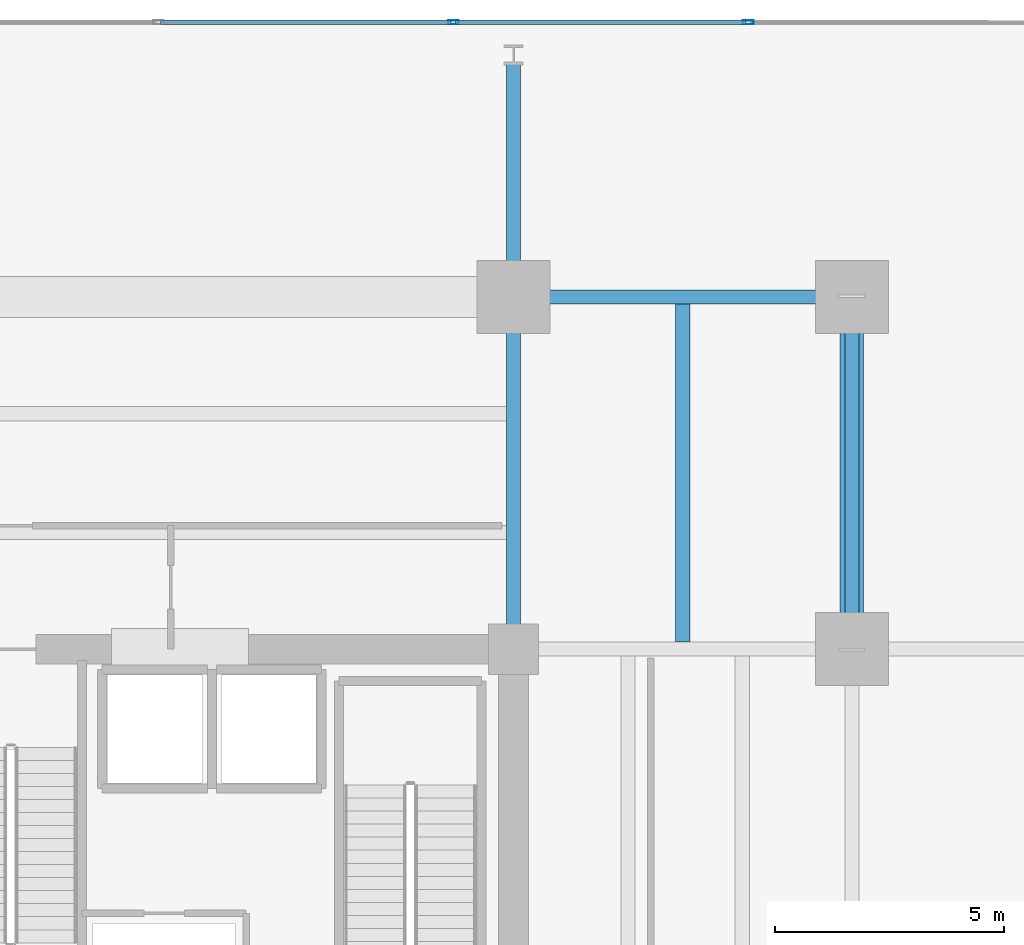
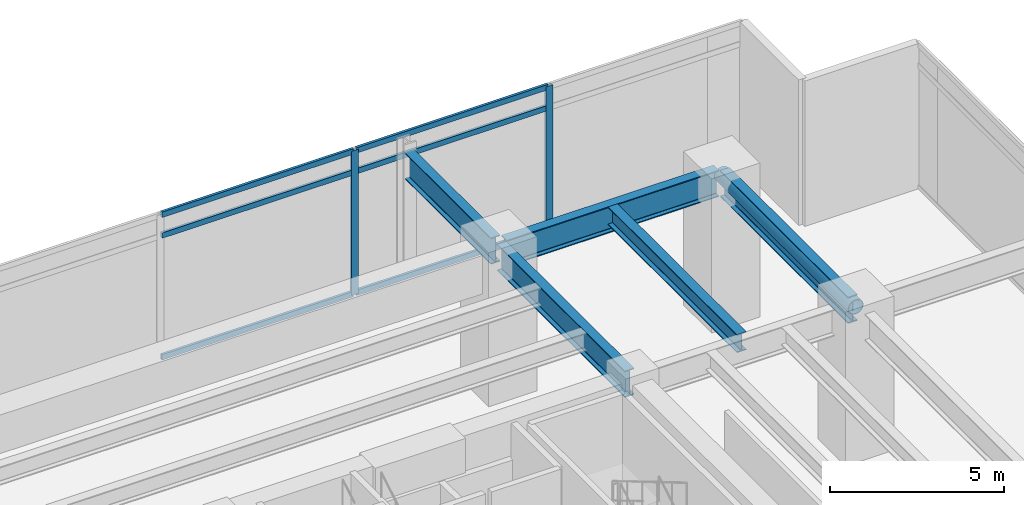
# One storey, part 16 of 23: 9 members, 5 beams, 1 element without a shape of its own.
"""IFC4 building model written with IfcOpenShell, lengths in metres."""

from ifc_helpers import new_model, si_unit, direction, frame, origin, origin_2d, place, context, subcontext, project, spatial, hollow_rectangle, hollow_circle, i_section, extrude, material, material_profile, profile_set, type_object, element, aggregate, save


model = new_model("IFC4")

# Units and contexts
model_context = context("Model", 3, precision=1e-05, world=origin(), true_north=direction((0.0, 1.0)))
body_context = subcontext(model_context, "Body", "Model", "MODEL_VIEW")
ifc_project = project(units=[si_unit("LENGTHUNIT", "METRE"), si_unit("AREAUNIT", "SQUARE_METRE"), si_unit("VOLUMEUNIT", "CUBIC_METRE"), si_unit("PLANEANGLEUNIT", "RADIAN"), si_unit("MASSUNIT", "GRAM", prefix="KILO")], contexts=[model_context])

# Site, building, storey
site_placement = place(None, origin())
site = spatial("IfcSite", under=ifc_project, at=site_placement, CompositionType="ELEMENT")
building_placement = place(site_placement, origin())
building = spatial("IfcBuilding", under=site, at=building_placement, Name="Kovane Verandah Tower", CompositionType="ELEMENT")
storey_placement = place(building_placement, frame((0.0, 0.0, 107.60009765625)))
storey = spatial("IfcBuildingStorey", under=building, at=storey_placement, Name="L25", CompositionType="ELEMENT", Elevation=107.60009765625)

# Beams
ifc_material_1 = material(Name="Steel S460", Category="steel")
ifc_material_profile_1 = material_profile(ifc_material_1, i_section(OverallWidth=0.311279296875, OverallDepth=0.6357421875, WebThickness=0.018310546875, FlangeThickness=0.031494140625, FilletRadius=0.0166015625, at=origin_2d()), Name="UB610x305x238")
ifc_profile_set_1 = profile_set([ifc_material_profile_1], Name="Steel S460")
beam_type_1 = type_object("IfcBeamType", Name="BM-UB610x238", PredefinedType="BEAM", material=ifc_profile_set_1)
beam_1_placement = place(storey_placement, frame((54.699951171875, 36.65185546875, 4.781982421875), z_axis=(0.0, 1.0, 0.0), x_axis=(-1.0, 0.0, 0.0)))
element("IfcBeam", 1, at=beam_1_placement, inside=storey, type_object=beam_type_1, Name="L25 Secondary Composite Joist J-NE1", PredefinedType="BEAM", context=body_context, shape_type="SweptSolid", body=[
    extrude(i_section(OverallWidth=0.311279296875, OverallDepth=0.6357421875, WebThickness=0.018310546875, FlangeThickness=0.031494140625, FilletRadius=0.0166015625, at=origin_2d()), origin(), (0.0, 0.0, 1.0), 7.396240234375),
])
ifc_material_profile_2 = material_profile(ifc_material_1, i_section(OverallWidth=0.3076171875, OverallDepth=0.926513671875, WebThickness=0.01953125, FlangeThickness=0.031982421875, FilletRadius=0.01904296875, at=origin_2d()), Name="UB914x305x289")
ifc_profile_set_2 = profile_set([ifc_material_profile_2], Name="Steel S460")
beam_type_2 = type_object("IfcBeamType", Name="BM-UB914x289", PredefinedType="BEAM", material=ifc_profile_set_2)
beam_2_placement = place(storey_placement, frame((51.179931640625, 44.199951171875, 4.63671875), z_axis=(1.0, 0.0, 0.0), x_axis=(0.0, 1.0, 0.0)))
element("IfcBeam", 2, at=beam_2_placement, inside=storey, type_object=beam_type_2, Name="L25 Primary Tower Girder G-RN3", PredefinedType="BEAM", context=body_context, shape_type="SweptSolid", body=[
    extrude(i_section(OverallWidth=0.3076171875, OverallDepth=0.926513671875, WebThickness=0.01953125, FlangeThickness=0.031982421875, FilletRadius=0.01904296875, at=origin_2d()), origin(), (0.0, 0.0, 1.0), 7.0400390625),
])
for number, where, z_axis, x_axis, name in (
    (3, (58.39990234375, 36.679931640625, 4.63671875), (0.0, 1.0, 0.0), (-1.0, 0.0, 0.0), "L25 Primary Tower Girder G-RE3"),
    (4, (51.0, 36.679931640625, 4.63671875), (0.0, 1.0, 0.0), (-1.0, 0.0, 0.0), "L25 Primary Tower Girder G-N2"),
):
    element("IfcBeam", number, at=place(storey_placement, frame(where, z_axis=z_axis, x_axis=x_axis)), inside=storey, type_object=beam_type_2, Name=name, PredefinedType="BEAM", context=body_context, shape_type="SweptSolid", body=[
        extrude(i_section(OverallWidth=0.3076171875, OverallDepth=0.926513671875, WebThickness=0.01953125, FlangeThickness=0.031982421875, FilletRadius=0.01904296875, at=origin_2d()), origin(), (0.0, 0.0, 1.0), 7.340087890625),
    ])
beam_3_placement = place(storey_placement, frame((51.0, 44.3798828125, 4.63671875), z_axis=(0.0, 1.0, 0.0), x_axis=(-1.0, 0.0, 0.0)))
element("IfcBeam", 5, at=beam_3_placement, inside=storey, type_object=beam_type_2, Name="L25 Primary Tower Girder G-VN2", PredefinedType="BEAM", context=body_context, shape_type="SweptSolid", body=[
    extrude(i_section(OverallWidth=0.3076171875, OverallDepth=0.926513671875, WebThickness=0.01953125, FlangeThickness=0.031982421875, FilletRadius=0.01904296875, at=origin_2d()), origin(), (0.0, 0.0, 1.0), 4.940185546875),
])

# Curtain wall, members
ifc_material_2 = material(Name="Champagne Anodised Aluminium Frame with Low-E Clear Laminated Glass", Category="aluminium")
curtain_wall_type = type_object("IfcCurtainWallType", Name="CW-SYS-02-LOW", PredefinedType="NOTDEFINED", material=ifc_material_2)
curtain_wall_placement = place(storey_placement, origin())
curtain_wall = element("IfcCurtainWall", 6, at=curtain_wall_placement, inside=storey, type_object=curtain_wall_type, Name="L25 N Unitised Curtain Wall", PredefinedType="NOTDEFINED")
ifc_material_3 = material(Name="Champagne Anodised Aluminium 6063-T6", Category="aluminium")
ifc_material_profile_3 = material_profile(ifc_material_3, hollow_rectangle(XDim=0.0849609375, YDim=0.22998046875, WallThickness=0.00390625, at=origin_2d()), Name="AL85x230x4")
ifc_profile_set_3 = profile_set([ifc_material_profile_3], Name="Champagne Anodised Aluminium 6063-T6")
member_type_1 = type_object("IfcMemberType", Name="CW-MUL-85x230", PredefinedType="MULLION", material=ifc_profile_set_3)
member_1_placement = place(storey_placement, frame((56.133544921875, 50.2109375, 0.02001953125), z_axis=(0.0, 0.0, 1.0), x_axis=(0.0, 1.0, 0.0)))
member_1 = element("IfcMember", 7, at=member_1_placement, type_object=member_type_1, Name="L25 N Unitised Curtain Wall Mullion 2", PredefinedType="MULLION", context=body_context, shape_type="SweptSolid", body=[
    extrude(hollow_rectangle(XDim=0.0849609375, YDim=0.22998046875, WallThickness=0.00390625, at=origin_2d()), origin(), (0.0, 0.0, 1.0), 5.059814453125),
])
member_2_placement = place(storey_placement, frame((49.68017578125, 50.2109375, 0.02001953125), z_axis=(0.0, 0.0, 1.0), x_axis=(0.0, 1.0, 0.0)))
member_2 = element("IfcMember", 8, at=member_2_placement, type_object=member_type_1, Name="L25 N Unitised Curtain Wall Mullion 3", PredefinedType="MULLION", context=body_context, shape_type="SweptSolid", body=[
    extrude(hollow_rectangle(XDim=0.0849609375, YDim=0.22998046875, WallThickness=0.00390625, at=origin_2d()), origin(), (0.0, 0.0, 1.0), 5.059814453125),
])
ifc_material_profile_4 = material_profile(ifc_material_3, hollow_rectangle(XDim=0.0849609375, YDim=0.18994140625, WallThickness=0.00390625, at=origin_2d()), Name="AL85x190x4")
ifc_profile_set_4 = profile_set([ifc_material_profile_4], Name="Champagne Anodised Aluminium 6063-T6")
member_type_2 = type_object("IfcMemberType", Name="CW-TRN-85x190", PredefinedType="USERDEFINED", material=ifc_profile_set_4)
member_3_placement = place(storey_placement, frame((56.08349609375, 50.2109375, 0.0498046875), z_axis=(-1.0, 0.0, 0.0), x_axis=(0.0, -1.0, 0.0)))
member_3 = element("IfcMember", 9, at=member_3_placement, type_object=member_type_2, Name="L25 N Unitised Curtain Wall Transom TB Bay 2", ObjectType="TRANSOM", PredefinedType="USERDEFINED", context=body_context, shape_type="SweptSolid", body=[
    extrude(hollow_rectangle(XDim=0.0849609375, YDim=0.18994140625, WallThickness=0.00390625, at=origin_2d()), origin(), (0.0, 0.0, 1.0), 6.353515625),
])
member_4_placement = place(storey_placement, frame((56.08349609375, 50.2109375, 4.31982421875), z_axis=(-1.0, 0.0, 0.0), x_axis=(0.0, -1.0, 0.0)))
member_4 = element("IfcMember", 10, at=member_4_placement, type_object=member_type_2, Name="L25 N Unitised Curtain Wall Transom TM Bay 2", ObjectType="TRANSOM", PredefinedType="USERDEFINED", context=body_context, shape_type="SweptSolid", body=[
    extrude(hollow_rectangle(XDim=0.0849609375, YDim=0.18994140625, WallThickness=0.00390625, at=origin_2d()), origin(), (0.0, 0.0, 1.0), 6.353515625),
])
member_5_placement = place(storey_placement, frame((56.08349609375, 50.2109375, 5.0498046875), z_axis=(-1.0, 0.0, 0.0), x_axis=(0.0, -1.0, 0.0)))
member_5 = element("IfcMember", 11, at=member_5_placement, type_object=member_type_2, Name="L25 N Unitised Curtain Wall Transom TT Bay 2", ObjectType="TRANSOM", PredefinedType="USERDEFINED", context=body_context, shape_type="SweptSolid", body=[
    extrude(hollow_rectangle(XDim=0.0849609375, YDim=0.18994140625, WallThickness=0.00390625, at=origin_2d()), origin(), (0.0, 0.0, 1.0), 6.353515625),
])
member_6_placement = place(storey_placement, frame((49.630126953125, 50.2109375, 0.0498046875), z_axis=(-1.0, 0.0, 0.0), x_axis=(0.0, -1.0, 0.0)))
member_6 = element("IfcMember", 12, at=member_6_placement, type_object=member_type_2, Name="L25 N Unitised Curtain Wall Transom TB Bay 3", ObjectType="TRANSOM", PredefinedType="USERDEFINED", context=body_context, shape_type="SweptSolid", body=[
    extrude(hollow_rectangle(XDim=0.0849609375, YDim=0.18994140625, WallThickness=0.00390625, at=origin_2d()), origin(), (0.0, 0.0, 1.0), 6.353515625),
])
member_7_placement = place(storey_placement, frame((49.630126953125, 50.2109375, 4.31982421875), z_axis=(-1.0, 0.0, 0.0), x_axis=(0.0, -1.0, 0.0)))
member_7 = element("IfcMember", 13, at=member_7_placement, type_object=member_type_2, Name="L25 N Unitised Curtain Wall Transom TM Bay 3", ObjectType="TRANSOM", PredefinedType="USERDEFINED", context=body_context, shape_type="SweptSolid", body=[
    extrude(hollow_rectangle(XDim=0.0849609375, YDim=0.18994140625, WallThickness=0.00390625, at=origin_2d()), origin(), (0.0, 0.0, 1.0), 6.353515625),
])
member_8_placement = place(storey_placement, frame((49.630126953125, 50.2109375, 5.0498046875), z_axis=(-1.0, 0.0, 0.0), x_axis=(0.0, -1.0, 0.0)))
member_8 = element("IfcMember", 14, at=member_8_placement, type_object=member_type_2, Name="L25 N Unitised Curtain Wall Transom TT Bay 3", ObjectType="TRANSOM", PredefinedType="USERDEFINED", context=body_context, shape_type="SweptSolid", body=[
    extrude(hollow_rectangle(XDim=0.0849609375, YDim=0.18994140625, WallThickness=0.00390625, at=origin_2d()), origin(), (0.0, 0.0, 1.0), 6.353515625),
])
aggregate(curtain_wall, [member_1, member_2, member_3, member_4, member_5, member_6, member_7, member_8])

# Member
ifc_material_profile_5 = material_profile(ifc_material_1, hollow_circle(Radius=0.25390625, WallThickness=0.02001953125, at=origin_2d()), Name="CHS508x20")
ifc_profile_set_5 = profile_set([ifc_material_profile_5], Name="Steel S460")
member_type_3 = type_object("IfcMemberType", Name="MEM-BR-CHS508", PredefinedType="BRACE", material=ifc_profile_set_5)
member_9_placement = place(storey_placement, frame((58.39990234375, 36.5, 4.81982421875), z_axis=(0.0, 1.0, 0.0), x_axis=(-1.0, 0.0, 0.0)))
element("IfcMember", 15, at=member_9_placement, inside=storey, type_object=member_type_3, Name="L25 Belt-Truss Ring Chord BE2", PredefinedType="BRACE", context=body_context, shape_type="SweptSolid", body=[
    extrude(hollow_circle(Radius=0.25390625, WallThickness=0.02001953125, at=origin_2d()), origin(), (0.0, 0.0, 1.0), 7.699951171875),
])

save(model, "model.ifc")
